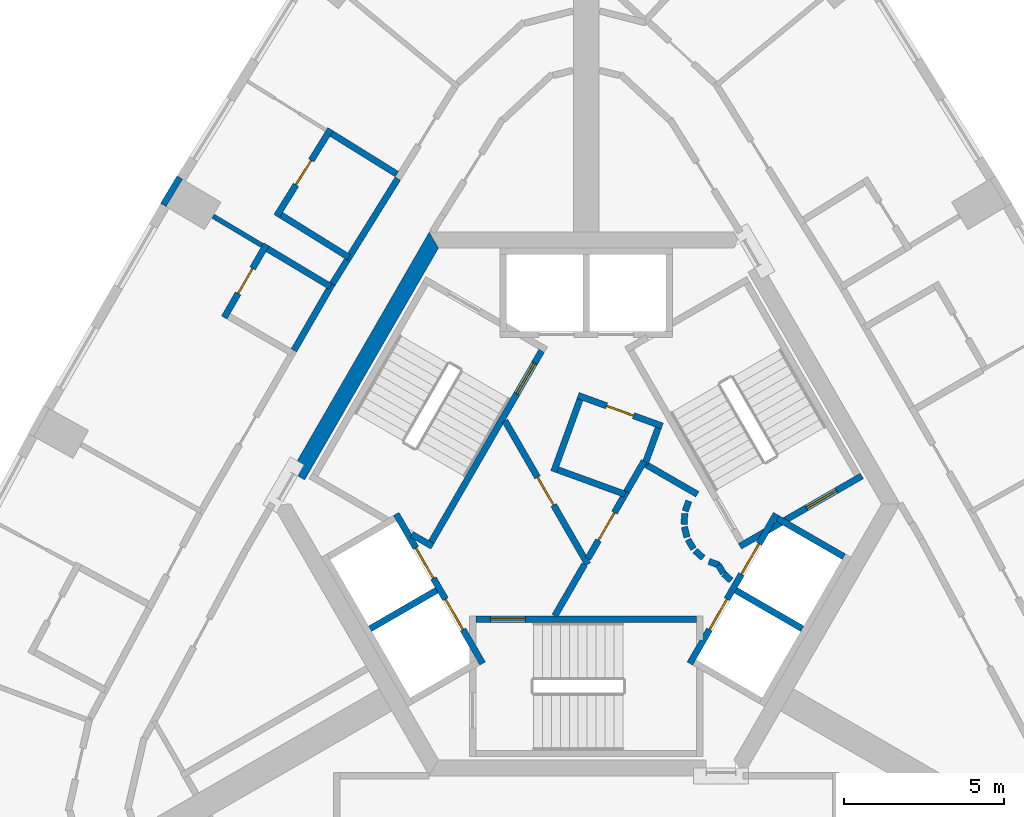
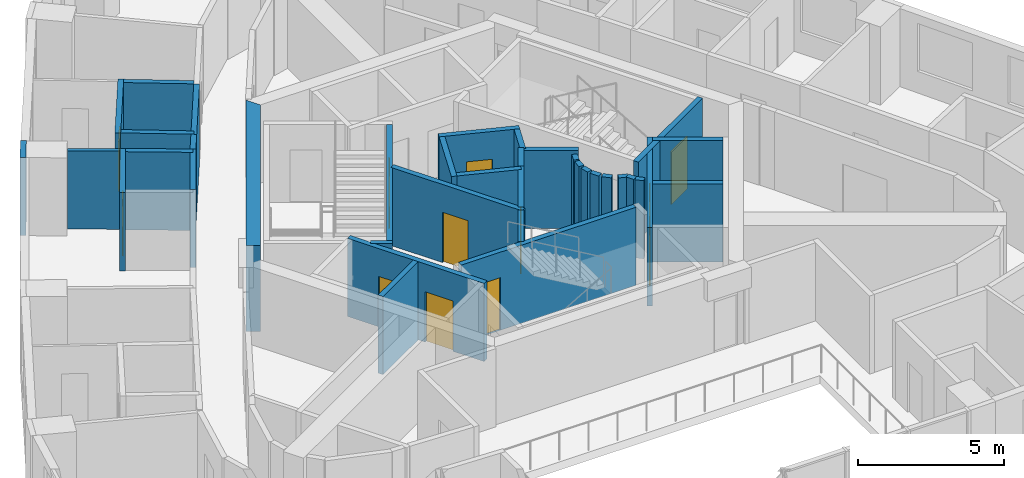
# One storey, part 4 of 9: 37 walls, 12 doors, 12 openings.
"""IFC4 building model written with IfcOpenShell, lengths in metres."""

from ifc_helpers import new_model, si_unit, direction, frame, frame_2d, origin, place, context, subcontext, project, spatial, polyline, rectangle, outline, extrude, material, layer, layer_set, type_object, element, fill, save


model = new_model("IFC4")

# Units and contexts
model_context = context("Model", 3, precision=1e-05, world=origin(), true_north=direction((0.0, 1.0)))
body_context = subcontext(model_context, "Body", "Model", "MODEL_VIEW")
ifc_project = project(units=[si_unit("LENGTHUNIT", "METRE"), si_unit("AREAUNIT", "SQUARE_METRE"), si_unit("VOLUMEUNIT", "CUBIC_METRE"), si_unit("PLANEANGLEUNIT", "RADIAN"), si_unit("MASSUNIT", "GRAM", prefix="KILO")], contexts=[model_context])

# Site, building, storey
site_placement = place(None, origin())
site = spatial("IfcSite", under=ifc_project, at=site_placement, CompositionType="ELEMENT")
building_placement = place(site_placement, origin())
building = spatial("IfcBuilding", under=site, at=building_placement, Name="Entoto Arch Interchange Tower", CompositionType="ELEMENT")
storey_placement = place(building_placement, frame((0.0, 0.0, 290.0)))
storey = spatial("IfcBuildingStorey", under=building, at=storey_placement, Name="L67", CompositionType="ELEMENT", Elevation=290.0)

# Wall
ifc_material_1 = material(Name="Concrete C40/50", Category="concrete")
ifc_layer_1 = layer(ifc_material_1, 0.5)
ifc_layer_set_1 = layer_set([ifc_layer_1], Name="Concrete C40/50")
wall_type_1 = type_object("IfcWallType", Name="Core wall 500 C40/50", PredefinedType="SHEAR", material=ifc_layer_set_1)
wall_1_placement = place(storey_placement, frame((0.0, 0.0, -0.340087890625)))
element("IfcWall", 1, at=wall_1_placement, inside=storey, type_object=wall_type_1, Name="Core wall NW L67", PredefinedType="SHEAR", context=body_context, shape_type="SweptSolid", body=[
    extrude(outline(polyline([(-9.236083984375, 3.501953125), (-8.802978515625, 3.2529296875), (-4.618896484375, 10.5), (-4.906982421875, 11.0), (-9.236083984375, 3.501953125)])), origin(), (0.0, 0.0, 1.0), 3.60009765625),
])

# Wall, openings, doors
ifc_layer_2 = layer(ifc_material_1, 0.199951171875)
ifc_layer_set_2 = layer_set([ifc_layer_2], Name="Concrete C40/50")
wall_type_2 = type_object("IfcWallType", Name="LIFT SHAFT WALL 200", PredefinedType="STANDARD", material=ifc_layer_set_2)
wall_2_placement = place(storey_placement, frame((-5.93994140625, 2.18798828125, 0.0), z_axis=(0.0, 0.0, 1.0), x_axis=(0.500034260056, -0.866005622828, 0.0)))
wall_2 = element("IfcWall", 2, at=wall_2_placement, inside=storey, type_object=wall_type_2, Name="Shaft wall SW1 front", PredefinedType="STANDARD", context=body_context, shape_type="SweptSolid", body=[
    extrude(rectangle(XDim=5.3994140625, YDim=0.199951171875, at=frame_2d((2.69970703125, 0.0))), origin(), (0.0, 0.0, 1.0), 3.260009765625),
])
opening_1_placement = place(wall_2_placement, frame((3.074951171875, 0.0, 0.0)))
opening_1 = element("IfcOpeningElement", 3, at=opening_1_placement, cuts=wall_2, Name="Opening LD-HR4-L67", PredefinedType="OPENING", context=body_context, shape_type="SweptSolid", body=[
    extrude(rectangle(XDim=1.10009765625, YDim=2.10009765625, at=frame_2d((0.550048828125, 1.050048828125))), frame((0.0, 0.10986328125, 0.0), z_axis=(0.0, -1.0, 0.0), x_axis=(1.0, 0.0, 0.0)), (0.0, 0.0, 1.0), 0.219970703125),
])
opening_2_placement = place(wall_2_placement, frame((1.22509765625, 0.0, 0.0)))
opening_2 = element("IfcOpeningElement", 4, at=opening_2_placement, cuts=wall_2, Name="Opening LD-FF2-L67", PredefinedType="OPENING", context=body_context, shape_type="SweptSolid", body=[
    extrude(rectangle(XDim=1.10009765625, YDim=2.10009765625, at=frame_2d((0.550048828125, 1.050048828125))), frame((0.0, 0.10986328125, 0.0), z_axis=(0.0, -1.0, 0.0), x_axis=(1.0, 0.0, 0.0)), (0.0, 0.0, 1.0), 0.219970703125),
])
ifc_material_2 = material(Name="Stainless steel 1.4301 panels", Category="steel")
door_type_1 = type_object("IfcDoorType", Name="LIFT LANDING DOOR LD1 1100x2100", OperationType="SLIDING_TO_LEFT", PredefinedType="DOOR", material=ifc_material_2)
door_1_placement = place(opening_1_placement, origin())
door_1 = element("IfcDoor", 5, at=door_1_placement, inside=storey, type_object=door_type_1, Name="Lift landing door HR4 L67", OperationType="SLIDING_TO_LEFT", OverallHeight=2.10009765625, OverallWidth=1.10009765625, PredefinedType="DOOR", context=body_context, shape_type="SweptSolid", body=[
    extrude(rectangle(XDim=1.10009765625, YDim=2.10009765625, at=frame_2d((0.550048828125, 1.050048828125))), frame((0.0, 0.02490234375, 0.0), z_axis=(0.0, -1.0, 0.0), x_axis=(1.0, 0.0, 0.0)), (0.0, 0.0, 1.0), 0.050048828125),
])
fill(opening_1, door_1)
door_2_placement = place(opening_2_placement, origin())
door_2 = element("IfcDoor", 6, at=door_2_placement, inside=storey, type_object=door_type_1, Name="Lift landing door FF2 L67", OperationType="SLIDING_TO_LEFT", OverallHeight=2.10009765625, OverallWidth=1.10009765625, PredefinedType="DOOR", context=body_context, shape_type="SweptSolid", body=[
    extrude(rectangle(XDim=1.10009765625, YDim=2.10009765625, at=frame_2d((0.550048828125, 1.050048828125))), frame((0.0, 0.02490234375, 0.0), z_axis=(0.0, -1.0, 0.0), x_axis=(1.0, 0.0, 0.0)), (0.0, 0.0, 1.0), 0.050048828125),
])
fill(opening_2, door_2)

# Wall
wall_3_placement = place(storey_placement, frame((-4.677001953125, -0.199951171875, 0.0), z_axis=(0.0, 0.0, 1.0), x_axis=(-0.865973769406, -0.500089422704, 0.0)))
element("IfcWall", 7, at=wall_3_placement, inside=storey, type_object=wall_type_2, Name="Shaft wall SW1 cross 2", PredefinedType="STANDARD", context=body_context, shape_type="SweptSolid", body=[
    extrude(rectangle(XDim=2.3994140625, YDim=0.199951171875, at=frame_2d((1.19970703125, 0.0))), origin(), (0.0, 0.0, 1.0), 3.260009765625),
])

# Wall, openings, doors
wall_4_placement = place(storey_placement, frame((3.239990234375, -2.488037109375, 0.0), z_axis=(0.0, 0.0, 1.0), x_axis=(0.500034260056, 0.866005622828, 0.0)))
wall_4 = element("IfcWall", 8, at=wall_4_placement, inside=storey, type_object=wall_type_2, Name="Shaft wall SE1 front", PredefinedType="STANDARD", context=body_context, shape_type="SweptSolid", body=[
    extrude(rectangle(XDim=5.3994140625, YDim=0.199951171875, at=frame_2d((2.69970703125, 0.0))), origin(), (0.0, 0.0, 1.0), 3.260009765625),
])
opening_3_placement = place(wall_4_placement, frame((3.22509765625, 0.0, 0.0)))
opening_3 = element("IfcOpeningElement", 9, at=opening_3_placement, cuts=wall_4, Name="Opening LD-HR3-L67", PredefinedType="OPENING", context=body_context, shape_type="SweptSolid", body=[
    extrude(rectangle(XDim=1.10009765625, YDim=2.10009765625, at=frame_2d((0.550048828125, 1.050048828125))), frame((0.0, 0.10986328125, 0.0), z_axis=(0.0, -1.0, 0.0), x_axis=(1.0, 0.0, 0.0)), (0.0, 0.0, 1.0), 0.219970703125),
])
opening_4_placement = place(wall_4_placement, frame((1.22509765625, 0.0, 0.0)))
opening_4 = element("IfcOpeningElement", 10, at=opening_4_placement, cuts=wall_4, Name="Opening LD-FF1-L67", PredefinedType="OPENING", context=body_context, shape_type="SweptSolid", body=[
    extrude(rectangle(XDim=1.10009765625, YDim=2.10009765625, at=frame_2d((0.550048828125, 1.050048828125))), frame((0.0, 0.10986328125, 0.0), z_axis=(0.0, -1.0, 0.0), x_axis=(1.0, 0.0, 0.0)), (0.0, 0.0, 1.0), 0.219970703125),
])
door_3_placement = place(opening_3_placement, origin())
door_3 = element("IfcDoor", 11, at=door_3_placement, inside=storey, type_object=door_type_1, Name="Lift landing door HR3 L67", OperationType="SLIDING_TO_LEFT", OverallHeight=2.10009765625, OverallWidth=1.10009765625, PredefinedType="DOOR", context=body_context, shape_type="SweptSolid", body=[
    extrude(rectangle(XDim=1.10009765625, YDim=2.10009765625, at=frame_2d((0.550048828125, 1.050048828125))), frame((0.0, 0.02490234375, 0.0), z_axis=(0.0, -1.0, 0.0), x_axis=(1.0, 0.0, 0.0)), (0.0, 0.0, 1.0), 0.050048828125),
])
fill(opening_3, door_3)
door_4_placement = place(opening_4_placement, origin())
door_4 = element("IfcDoor", 12, at=door_4_placement, inside=storey, type_object=door_type_1, Name="Lift landing door FF1 L67", OperationType="SLIDING_TO_LEFT", OverallHeight=2.10009765625, OverallWidth=1.10009765625, PredefinedType="DOOR", context=body_context, shape_type="SweptSolid", body=[
    extrude(rectangle(XDim=1.10009765625, YDim=2.10009765625, at=frame_2d((0.550048828125, 1.050048828125))), frame((0.0, 0.02490234375, 0.0), z_axis=(0.0, -1.0, 0.0), x_axis=(1.0, 0.0, 0.0)), (0.0, 0.0, 1.0), 0.050048828125),
])
fill(opening_4, door_4)

# Walls
for number, where, z_axis, x_axis, name in (
    (13, (4.677001953125, -0.199951171875, 0.0), (0.0, 0.0, 1.0), (0.865973769406, -0.500089422704, 0.0), "Shaft wall SE1 cross 2"),
    (14, (5.97705078125, 2.052001953125, 0.0), (0.0, 0.0, 1.0), (0.865973769406, -0.500089422704, 0.0), "Shaft wall SE1 cross 3"),
):
    element("IfcWall", number, at=place(storey_placement, frame(where, z_axis=z_axis, x_axis=x_axis)), inside=storey, type_object=wall_type_2, Name=name, PredefinedType="STANDARD", context=body_context, shape_type="SweptSolid", body=[
        extrude(rectangle(XDim=2.3994140625, YDim=0.199951171875, at=frame_2d((1.19970703125, 0.0))), origin(), (0.0, 0.0, 1.0), 3.260009765625),
    ])
ifc_material_3 = material(Name="Gypsum board partition on steel studs", Category="steel")
ifc_layer_3 = layer(ifc_material_3, 0.14990234375)
ifc_layer_set_3 = layer_set([ifc_layer_3], Name="Gypsum board partition on steel studs")
wall_type_3 = type_object("IfcWallType", Name="PARTITION 150", PredefinedType="PARTITIONING", material=ifc_layer_set_3)
wall_5_placement = place(storey_placement, frame((-10.133056640625, 10.580078125, 0.0), z_axis=(0.0, 0.0, 1.0), x_axis=(-0.857903919212, 0.513810145287, 0.0)))
element("IfcWall", 15, at=wall_5_placement, inside=storey, type_object=wall_type_3, Name="wall:L67:p117", PredefinedType="PARTITIONING", context=body_context, shape_type="SweptSolid", body=[
    extrude(rectangle(XDim=1.781005859375, YDim=0.14990234375, at=frame_2d((0.890625, 0.0))), origin(), (0.0, 0.0, 1.0), 3.260009765625),
])
ifc_layer_4 = layer(ifc_material_3, 0.199951171875)
ifc_layer_set_4 = layer_set([ifc_layer_4], Name="Gypsum board partition on steel studs")
wall_type_4 = type_object("IfcWallType", Name="PARTITION 200", PredefinedType="PARTITIONING", material=ifc_layer_set_4)
wall_6_placement = place(storey_placement, frame((1.263916015625, 2.889892578125, 0.0), z_axis=(0.0, 0.0, 1.0), x_axis=(0.500043792738, 0.866000118559, 0.0)))
element("IfcWall", 16, at=wall_6_placement, inside=storey, type_object=wall_type_4, Name="wall:L67:p001", PredefinedType="PARTITIONING", context=body_context, shape_type="SweptSolid", body=[
    extrude(rectangle(XDim=1.09619140625, YDim=0.199951171875, at=frame_2d((0.548095703125, 0.0))), origin(), (0.0, 0.0, 1.0), 3.260009765625),
])
wall_7_placement = place(storey_placement, frame((1.837890625, 3.748046875, 0.0), z_axis=(0.0, 0.0, 1.0), x_axis=(0.342266462435, 0.939602931398, 0.0)))
element("IfcWall", 17, at=wall_7_placement, inside=storey, type_object=wall_type_4, Name="wall:L67:p002", PredefinedType="PARTITIONING", context=body_context, shape_type="SweptSolid", body=[
    extrude(rectangle(XDim=1.1982421875, YDim=0.199951171875, at=frame_2d((0.59912109375, 0.0))), origin(), (0.0, 0.0, 1.0), 3.260009765625),
])

# Wall, opening, door
wall_8_placement = place(storey_placement, frame((2.3759765625, 4.93408203125, 0.0), z_axis=(0.0, 0.0, 1.0), x_axis=(-0.939640574808, 0.342163104635, 0.0)))
wall_8 = element("IfcWall", 18, at=wall_8_placement, inside=storey, type_object=wall_type_4, Name="wall:L67:p003", PredefinedType="PARTITIONING", context=body_context, shape_type="SweptSolid", body=[
    extrude(rectangle(XDim=2.7998046875, YDim=0.199951171875, at=frame_2d((1.39990234375, 0.0))), origin(), (0.0, 0.0, 1.0), 3.260009765625),
])
opening_5_placement = place(wall_8_placement, frame((0.949951171875, 0.0, 0.0)))
opening_5 = element("IfcOpeningElement", 19, at=opening_5_placement, cuts=wall_8, Name="Opening L67-D36", PredefinedType="OPENING", context=body_context, shape_type="SweptSolid", body=[
    extrude(rectangle(XDim=0.89990234375, YDim=2.10009765625, at=frame_2d((0.449951171875, 1.050048828125))), frame((0.0, 0.10986328125, 0.0), z_axis=(0.0, -1.0, 0.0), x_axis=(1.0, 0.0, 0.0)), (0.0, 0.0, 1.0), 0.219970703125),
])
ifc_material_4 = material(Name="Timber door leaf in Steel S235 frame", Category="steel")
door_type_2 = type_object("IfcDoorType", Name="DOOR DS-09 900x2100", OperationType="SINGLE_SWING_LEFT", PredefinedType="DOOR", material=ifc_material_4)
door_5_placement = place(opening_5_placement, origin())
door_5 = element("IfcDoor", 20, at=door_5_placement, inside=storey, type_object=door_type_2, Name="door:L67:36", OperationType="SINGLE_SWING_LEFT", OverallHeight=2.10009765625, OverallWidth=0.89990234375, PredefinedType="DOOR", context=body_context, shape_type="SweptSolid", body=[
    extrude(rectangle(XDim=0.89990234375, YDim=2.10009765625, at=frame_2d((0.449951171875, 1.050048828125))), frame((0.0, 0.02490234375, 0.0), z_axis=(0.0, -1.0, 0.0), x_axis=(1.0, 0.0, 0.0)), (0.0, 0.0, 1.0), 0.050048828125),
])
fill(opening_5, door_5)

# Walls
wall_9_placement = place(storey_placement, frame((-0.196044921875, 5.763916015625, 0.0), z_axis=(0.0, 0.0, 1.0), x_axis=(-0.34165322761, -0.939826086073, 0.0)))
element("IfcWall", 21, at=wall_9_placement, inside=storey, type_object=wall_type_4, Name="wall:L67:p004", PredefinedType="PARTITIONING", context=body_context, shape_type="SweptSolid", body=[
    extrude(rectangle(XDim=2.400390625, YDim=0.199951171875, at=frame_2d((1.2001953125, 0.0))), origin(), (0.0, 0.0, 1.0), 3.260009765625),
])
wall_10_placement = place(storey_placement, frame((-0.887939453125, 3.568115234375, 0.0), z_axis=(0.0, 0.0, 1.0), x_axis=(0.939685034098, -0.34204098686, 0.0)))
element("IfcWall", 22, at=wall_10_placement, inside=storey, type_object=wall_type_4, Name="wall:L67:p005", PredefinedType="PARTITIONING", context=body_context, shape_type="SweptSolid", body=[
    extrude(rectangle(XDim=2.237060546875, YDim=0.199951171875, at=frame_2d((1.11865234375, 0.0))), origin(), (0.0, 0.0, 1.0), 3.260009765625),
])
wall_11_placement = place(storey_placement, frame((-7.93701171875, 9.3798828125, 0.0), z_axis=(0.0, 0.0, 1.0), x_axis=(0.52850186976, 0.848932137252, 0.0)))
element("IfcWall", 23, at=wall_11_placement, inside=storey, type_object=wall_type_4, Name="wall:L67:p047", PredefinedType="PARTITIONING", context=body_context, shape_type="SweptSolid", body=[
    extrude(rectangle(XDim=0.880126953125, YDim=0.199951171875, at=frame_2d((0.43994140625, 0.0))), origin(), (0.0, 0.0, 1.0), 3.260009765625),
])
wall_12_placement = place(storey_placement, frame((-7.471923828125, 10.126953125, 0.0), z_axis=(0.0, 0.0, 1.0), x_axis=(0.527707224705, 0.849426326996, 0.0)))
element("IfcWall", 24, at=wall_12_placement, inside=storey, type_object=wall_type_4, Name="wall:L67:p048", PredefinedType="PARTITIONING", context=body_context, shape_type="SweptSolid", body=[
    extrude(rectangle(XDim=2.999755859375, YDim=0.199951171875, at=frame_2d((1.5, 0.0))), origin(), (0.0, 0.0, 1.0), 3.260009765625),
])
wall_13_placement = place(storey_placement, frame((-9.138916015625, 7.302978515625, 0.0), z_axis=(0.0, 0.0, 1.0), x_axis=(0.499869187296, 0.866100915363, 0.0)))
element("IfcWall", 25, at=wall_13_placement, inside=storey, type_object=wall_type_4, Name="wall:L67:p050", PredefinedType="PARTITIONING", context=body_context, shape_type="SweptSolid", body=[
    extrude(rectangle(XDim=2.400634765625, YDim=0.199951171875, at=frame_2d((1.2001953125, 0.0))), origin(), (0.0, 0.0, 1.0), 3.260009765625),
])
wall_14_placement = place(storey_placement, frame((-0.98193359375, -1.0, 0.0), z_axis=(0.0, 0.0, 1.0), x_axis=(0.50024047865, 0.865886518847, 0.0)))
element("IfcWall", 26, at=wall_14_placement, inside=storey, type_object=wall_type_4, Name="wall:L67:p061", PredefinedType="PARTITIONING", context=body_context, shape_type="SweptSolid", body=[
    extrude(rectangle(XDim=1.86279296875, YDim=0.199951171875, at=frame_2d((0.931396484375, 0.0))), origin(), (0.0, 0.0, 1.0), 3.260009765625),
])

# Wall, opening, door
wall_15_placement = place(storey_placement, frame((0.050048828125, 0.787109375, 0.0), z_axis=(0.0, 0.0, 1.0), x_axis=(0.499945861543, 0.866056658381, 0.0)))
wall_15 = element("IfcWall", 27, at=wall_15_placement, inside=storey, type_object=wall_type_4, Name="wall:L67:p062", PredefinedType="PARTITIONING", context=body_context, shape_type="SweptSolid", body=[
    extrude(rectangle(XDim=2.427978515625, YDim=0.199951171875, at=frame_2d((1.2138671875, 0.0))), origin(), (0.0, 0.0, 1.0), 3.260009765625),
])
opening_6_placement = place(wall_15_placement, frame((0.6640625, 0.0, 0.0)))
opening_6 = element("IfcOpeningElement", 28, at=opening_6_placement, cuts=wall_15, Name="Opening L67-D34", PredefinedType="OPENING", context=body_context, shape_type="SweptSolid", body=[
    extrude(rectangle(XDim=1.0, YDim=2.10009765625, at=frame_2d((0.5, 1.050048828125))), frame((0.0, 0.10986328125, 0.0), z_axis=(0.0, -1.0, 0.0), x_axis=(1.0, 0.0, 0.0)), (0.0, 0.0, 1.0), 0.219970703125),
])
ifc_material_5 = material(Name="Fire-rated Steel S235 door and frame", Category="steel")
door_type_3 = type_object("IfcDoorType", Name="DOOR FD-10 1000x2100", OperationType="SINGLE_SWING_LEFT", PredefinedType="DOOR", material=ifc_material_5)
door_6_placement = place(opening_6_placement, origin())
door_6 = element("IfcDoor", 29, at=door_6_placement, inside=storey, type_object=door_type_3, Name="door:L67:34", OperationType="SINGLE_SWING_RIGHT", OverallHeight=2.10009765625, OverallWidth=1.0, PredefinedType="DOOR", context=body_context, shape_type="SweptSolid", body=[
    extrude(rectangle(XDim=1.0, YDim=2.10009765625, at=frame_2d((0.5, 1.050048828125))), frame((0.0, 0.02490234375, 0.0), z_axis=(0.0, -1.0, 0.0), x_axis=(1.0, 0.0, 0.0)), (0.0, 0.0, 1.0), 0.050048828125),
])
fill(opening_6, door_6)

# Walls
wall_16_placement = place(storey_placement, frame((1.7509765625, 3.798095703125, 0.0), z_axis=(0.0, 0.0, 1.0), x_axis=(0.866091650241, -0.499885240213, 0.0)))
element("IfcWall", 30, at=wall_16_placement, inside=storey, type_object=wall_type_4, Name="wall:L67:p063", PredefinedType="PARTITIONING", context=body_context, shape_type="SweptSolid", body=[
    extrude(rectangle(XDim=1.99072265625, YDim=0.199951171875, at=frame_2d((0.995361328125, 0.0))), origin(), (0.0, 0.0, 1.0), 3.260009765625),
])
wall_17_placement = place(storey_placement, frame((3.2080078125, 2.592041015625, 0.0), z_axis=(0.0, 0.0, 1.0), x_axis=(-0.337388820924, -0.941365382578, 0.0)))
element("IfcWall", 31, at=wall_17_placement, inside=storey, type_object=wall_type_4, Name="wall:L67:p064", PredefinedType="PARTITIONING", context=body_context, shape_type="SweptSolid", body=[
    extrude(rectangle(XDim=0.337890625, YDim=0.199951171875, at=frame_2d((0.1689453125, 0.0))), origin(), (0.0, 0.0, 1.0), 3.260009765625),
])
wall_18_placement = place(storey_placement, frame((3.0791015625, 2.198974609375, 0.0), z_axis=(0.0, 0.0, 1.0), x_axis=(-0.047771483479, -0.998858290933, 0.0)))
element("IfcWall", 32, at=wall_18_placement, inside=storey, type_object=wall_type_4, Name="wall:L67:p065", PredefinedType="PARTITIONING", context=body_context, shape_type="SweptSolid", body=[
    extrude(rectangle(XDim=0.33740234375, YDim=0.199951171875, at=frame_2d((0.168701171875, 0.0))), origin(), (0.0, 0.0, 1.0), 3.260009765625),
])
wall_19_placement = place(storey_placement, frame((3.070068359375, 1.785888671875, 0.0), z_axis=(0.0, 0.0, 1.0), x_axis=(0.242705583207, -0.970099994784, 0.0)))
element("IfcWall", 33, at=wall_19_placement, inside=storey, type_object=wall_type_4, Name="wall:L67:p066", PredefinedType="PARTITIONING", context=body_context, shape_type="SweptSolid", body=[
    extrude(rectangle(XDim=0.337890625, YDim=0.199951171875, at=frame_2d((0.1689453125, 0.0))), origin(), (0.0, 0.0, 1.0), 3.260009765625),
])
for number, where, z_axis, x_axis, name in (
    (34, (3.181884765625, 1.387939453125, 0.0), (0.0, 0.0, 1.0), (0.512474702713, -0.85870232274, 0.0), "wall:L67:p067"),
    (35, (3.404052734375, 1.0390625, 0.0), (0.0, 0.0, 1.0), (0.740267097712, -0.672312891476, 0.0), "wall:L67:p068"),
):
    element("IfcWall", number, at=place(storey_placement, frame(where, z_axis=z_axis, x_axis=x_axis)), inside=storey, type_object=wall_type_4, Name=name, PredefinedType="PARTITIONING", context=body_context, shape_type="SweptSolid", body=[
        extrude(rectangle(XDim=0.337646484375, YDim=0.199951171875, at=frame_2d((0.1689453125, 0.0))), origin(), (0.0, 0.0, 1.0), 3.260009765625),
    ])
wall_20_placement = place(storey_placement, frame((3.837890625, 0.701904296875, 0.0), z_axis=(0.0, 0.0, 1.0), x_axis=(0.941035081519, -0.338308993895, 0.0)))
element("IfcWall", 36, at=wall_20_placement, inside=storey, type_object=wall_type_4, Name="wall:L67:p069", PredefinedType="PARTITIONING", context=body_context, shape_type="SweptSolid", body=[
    extrude(rectangle(XDim=0.3369140625, YDim=0.199951171875, at=frame_2d((0.16845703125, 0.0))), origin(), (0.0, 0.0, 1.0), 3.260009765625),
])
wall_21_placement = place(storey_placement, frame((4.132080078125, 0.593017578125, 0.0), z_axis=(0.0, 0.0, 1.0), x_axis=(0.513561617048, -0.858052717201, 0.0)))
element("IfcWall", 37, at=wall_21_placement, inside=storey, type_object=wall_type_4, Name="wall:L67:p070", PredefinedType="PARTITIONING", context=body_context, shape_type="SweptSolid", body=[
    extrude(rectangle(XDim=0.3076171875, YDim=0.199951171875, at=frame_2d((0.15380859375, 0.0))), origin(), (0.0, 0.0, 1.0), 3.260009765625),
])
wall_22_placement = place(storey_placement, frame((4.301025390625, 0.31494140625, 0.0), z_axis=(0.0, 0.0, 1.0), x_axis=(0.741798017506, -0.670623367639, 0.0)))
element("IfcWall", 38, at=wall_22_placement, inside=storey, type_object=wall_type_4, Name="wall:L67:p071", PredefinedType="PARTITIONING", context=body_context, shape_type="SweptSolid", body=[
    extrude(rectangle(XDim=0.30859375, YDim=0.199951171875, at=frame_2d((0.154296875, 0.0))), origin(), (0.0, 0.0, 1.0), 3.260009765625),
])

# Wall, opening, door
wall_23_placement = place(storey_placement, frame((-2.5400390625, 5.10009765625, 0.0), z_axis=(0.0, 0.0, 1.0), x_axis=(0.499925051871, -0.866068670783, 0.0)))
wall_23 = element("IfcWall", 39, at=wall_23_placement, inside=storey, type_object=wall_type_4, Name="wall:L67:p072", PredefinedType="PARTITIONING", context=body_context, shape_type="SweptSolid", body=[
    extrude(rectangle(XDim=5.180908203125, YDim=0.199951171875, at=frame_2d((2.59033203125, 0.0))), origin(), (0.0, 0.0, 1.0), 3.260009765625),
])
opening_7_placement = place(wall_23_placement, frame((2.0400390625, 0.0, 0.0)))
opening_7 = element("IfcOpeningElement", 40, at=opening_7_placement, cuts=wall_23, Name="Opening L67-D35", PredefinedType="OPENING", context=body_context, shape_type="SweptSolid", body=[
    extrude(rectangle(XDim=1.0, YDim=2.10009765625, at=frame_2d((0.5, 1.050048828125))), frame((0.0, 0.10986328125, 0.0), z_axis=(0.0, -1.0, 0.0), x_axis=(1.0, 0.0, 0.0)), (0.0, 0.0, 1.0), 0.219970703125),
])
door_7_placement = place(opening_7_placement, origin())
door_7 = element("IfcDoor", 41, at=door_7_placement, inside=storey, type_object=door_type_3, Name="door:L67:35", OperationType="SINGLE_SWING_RIGHT", OverallHeight=2.10009765625, OverallWidth=1.0, PredefinedType="DOOR", context=body_context, shape_type="SweptSolid", body=[
    extrude(rectangle(XDim=1.0, YDim=2.10009765625, at=frame_2d((0.5, 1.050048828125))), frame((0.0, 0.02490234375, 0.0), z_axis=(0.0, -1.0, 0.0), x_axis=(1.0, 0.0, 0.0)), (0.0, 0.0, 1.0), 0.050048828125),
])
fill(opening_7, door_7)

# Wall
wall_24_placement = place(storey_placement, frame((-5.9208984375, 12.81298828125, 0.0), z_axis=(0.0, 0.0, 1.0), x_axis=(-0.849366650736, 0.527803270752, 0.0)))
element("IfcWall", 42, at=wall_24_placement, inside=storey, type_object=wall_type_4, Name="wall:L67:p114", PredefinedType="PARTITIONING", context=body_context, shape_type="SweptSolid", body=[
    extrude(rectangle(XDim=2.400634765625, YDim=0.199951171875, at=frame_2d((1.2001953125, 0.0))), origin(), (0.0, 0.0, 1.0), 3.260009765625),
])

# Wall, opening, door
wall_25_placement = place(storey_placement, frame((-7.991943359375, 14.217041015625, 0.0), z_axis=(0.0, 0.0, 1.0), x_axis=(-0.527795797674, -0.849371294522, 0.0)))
wall_25 = element("IfcWall", 43, at=wall_25_placement, inside=storey, type_object=wall_type_4, Name="wall:L67:p115", PredefinedType="PARTITIONING", context=body_context, shape_type="SweptSolid", body=[
    extrude(rectangle(XDim=3.199951171875, YDim=0.199951171875, at=frame_2d((1.60009765625, 0.0))), origin(), (0.0, 0.0, 1.0), 3.260009765625),
])
opening_8_placement = place(wall_25_placement, frame((1.14990234375, 0.0, 0.0)))
opening_8 = element("IfcOpeningElement", 44, at=opening_8_placement, cuts=wall_25, Name="Opening L67-D18", PredefinedType="OPENING", context=body_context, shape_type="SweptSolid", body=[
    extrude(rectangle(XDim=0.89990234375, YDim=2.10009765625, at=frame_2d((0.449951171875, 1.050048828125))), frame((0.0, 0.10986328125, 0.0), z_axis=(0.0, -1.0, 0.0), x_axis=(1.0, 0.0, 0.0)), (0.0, 0.0, 1.0), 0.219970703125),
])
door_8_placement = place(opening_8_placement, origin())
door_8 = element("IfcDoor", 45, at=door_8_placement, inside=storey, type_object=door_type_2, Name="door:L67:18", OperationType="SINGLE_SWING_LEFT", OverallHeight=2.10009765625, OverallWidth=0.89990234375, PredefinedType="DOOR", context=body_context, shape_type="SweptSolid", body=[
    extrude(rectangle(XDim=0.89990234375, YDim=2.10009765625, at=frame_2d((0.449951171875, 1.050048828125))), frame((0.0, 0.02490234375, 0.0), z_axis=(0.0, -1.0, 0.0), x_axis=(1.0, 0.0, 0.0)), (0.0, 0.0, 1.0), 0.050048828125),
])
fill(opening_8, door_8)

# Walls
wall_26_placement = place(storey_placement, frame((-9.54296875, 11.531005859375, 0.0), z_axis=(0.0, 0.0, 1.0), x_axis=(0.849400119549, -0.527749407305, 0.0)))
element("IfcWall", 46, at=wall_26_placement, inside=storey, type_object=wall_type_4, Name="wall:L67:p116", PredefinedType="PARTITIONING", context=body_context, shape_type="SweptSolid", body=[
    extrude(rectangle(XDim=2.49951171875, YDim=0.199951171875, at=frame_2d((1.249755859375, 0.0))), origin(), (0.0, 0.0, 1.0), 3.260009765625),
])
wall_27_placement = place(storey_placement, frame((-7.989013671875, 9.294921875, 0.0), z_axis=(0.0, 0.0, 1.0), x_axis=(-0.857801856135, 0.513980520654, 0.0)))
element("IfcWall", 47, at=wall_27_placement, inside=storey, type_object=wall_type_4, Name="wall:L67:p118", PredefinedType="PARTITIONING", context=body_context, shape_type="SweptSolid", body=[
    extrude(rectangle(XDim=2.300048828125, YDim=0.199951171875, at=frame_2d((1.14990234375, 0.0))), origin(), (0.0, 0.0, 1.0), 3.260009765625),
])

# Wall, opening, door
wall_28_placement = place(storey_placement, frame((-9.9970703125, 10.614990234375, 0.0), z_axis=(0.0, 0.0, 1.0), x_axis=(-0.500525697837, -0.865721679182, 0.0)))
wall_28 = element("IfcWall", 48, at=wall_28_placement, inside=storey, type_object=wall_type_4, Name="wall:L67:p119", PredefinedType="PARTITIONING", context=body_context, shape_type="SweptSolid", body=[
    extrude(rectangle(XDim=2.639404296875, YDim=0.199951171875, at=frame_2d((1.31982421875, 0.0))), origin(), (0.0, 0.0, 1.0), 3.260009765625),
])
opening_9_placement = place(wall_28_placement, frame((0.868896484375, 0.0, 0.0)))
opening_9 = element("IfcOpeningElement", 49, at=opening_9_placement, cuts=wall_28, Name="Opening L67-D20", PredefinedType="OPENING", context=body_context, shape_type="SweptSolid", body=[
    extrude(rectangle(XDim=0.89990234375, YDim=2.10009765625, at=frame_2d((0.449951171875, 1.050048828125))), frame((0.0, 0.10986328125, 0.0), z_axis=(0.0, -1.0, 0.0), x_axis=(1.0, 0.0, 0.0)), (0.0, 0.0, 1.0), 0.219970703125),
])
door_9_placement = place(opening_9_placement, origin())
door_9 = element("IfcDoor", 50, at=door_9_placement, inside=storey, type_object=door_type_2, Name="door:L67:20", OperationType="SINGLE_SWING_LEFT", OverallHeight=2.10009765625, OverallWidth=0.89990234375, PredefinedType="DOOR", context=body_context, shape_type="SweptSolid", body=[
    extrude(rectangle(XDim=0.89990234375, YDim=2.10009765625, at=frame_2d((0.449951171875, 1.050048828125))), frame((0.0, 0.02490234375, 0.0), z_axis=(0.0, -1.0, 0.0), x_axis=(1.0, 0.0, 0.0)), (0.0, 0.0, 1.0), 0.050048828125),
])
fill(opening_9, door_9)

ifc_layer_5 = layer(ifc_material_1, 0.199951171875)
ifc_layer_set_5 = layer_set([ifc_layer_5], Name="Concrete C40/50")
wall_type_5 = type_object("IfcWallType", Name="STAIR ENCLOSURE WALL 200", PredefinedType="STANDARD", material=ifc_layer_set_5)
wall_29_placement = place(storey_placement, frame((-3.449951171875, -1.10009765625, 0.0), z_axis=(0.0, 0.0, 1.0), x_axis=(1.0, 0.0, 0.0)))
wall_29 = element("IfcWall", 51, at=wall_29_placement, inside=storey, type_object=wall_type_5, Name="Stair wall ST-S hall", PredefinedType="STANDARD", context=body_context, shape_type="SweptSolid", body=[
    extrude(rectangle(XDim=6.89990234375, YDim=0.199951171875, at=frame_2d((3.449951171875, 0.0))), origin(), (0.0, 0.0, 1.0), 3.260009765625),
])
opening_10_placement = place(wall_29_placement, frame((0.449951171875, 0.0, 0.0)))
opening_10 = element("IfcOpeningElement", 52, at=opening_10_placement, cuts=wall_29, Name="Opening SD-ST-S-L67", PredefinedType="OPENING", context=body_context, shape_type="SweptSolid", body=[
    extrude(rectangle(XDim=1.10009765625, YDim=2.199951171875, at=frame_2d((0.550048828125, 1.10009765625))), frame((0.0, 0.10986328125, 0.0), z_axis=(0.0, -1.0, 0.0), x_axis=(1.0, 0.0, 0.0)), (0.0, 0.0, 1.0), 0.219970703125),
])
ifc_material_6 = material(Name="Steel S235", Category="steel")
door_type_4 = type_object("IfcDoorType", Name="STAIR DOOR SD1 1100x2200", OperationType="SINGLE_SWING_LEFT", PredefinedType="DOOR", material=ifc_material_6)
door_10_placement = place(opening_10_placement, origin())
door_10 = element("IfcDoor", 53, at=door_10_placement, inside=storey, type_object=door_type_4, Name="Stair door ST-S L67", OperationType="SINGLE_SWING_LEFT", OverallHeight=2.199951171875, OverallWidth=1.10009765625, PredefinedType="DOOR", context=body_context, shape_type="SweptSolid", body=[
    extrude(rectangle(XDim=1.10009765625, YDim=2.199951171875, at=frame_2d((0.550048828125, 1.10009765625))), frame((0.0, 0.02490234375, 0.0), z_axis=(0.0, -1.0, 0.0), x_axis=(1.0, 0.0, 0.0)), (0.0, 0.0, 1.0), 0.050048828125),
])
fill(opening_10, door_10)

wall_30_placement = place(storey_placement, frame((4.805908203125, 1.176025390625, 0.0), z_axis=(0.0, 0.0, 1.0), x_axis=(0.866059941101, 0.499940174841, 0.0)))
wall_30 = element("IfcWall", 54, at=wall_30_placement, inside=storey, type_object=wall_type_5, Name="Stair wall ST-NE near", PredefinedType="STANDARD", context=body_context, shape_type="SweptSolid", body=[
    extrude(rectangle(XDim=4.400390625, YDim=0.199951171875, at=frame_2d((2.2001953125, 0.0))), origin(), (0.0, 0.0, 1.0), 3.260009765625),
])
opening_11_placement = place(wall_30_placement, frame((2.39990234375, 0.0, 0.0)))
opening_11 = element("IfcOpeningElement", 55, at=opening_11_placement, cuts=wall_30, Name="Opening SD-ST-NE-L67-E", PredefinedType="OPENING", context=body_context, shape_type="SweptSolid", body=[
    extrude(rectangle(XDim=1.10009765625, YDim=2.199951171875, at=frame_2d((0.550048828125, 1.10009765625))), frame((0.0, 0.10986328125, 0.0), z_axis=(0.0, -1.0, 0.0), x_axis=(1.0, 0.0, 0.0)), (0.0, 0.0, 1.0), 0.219970703125),
])
door_11_placement = place(opening_11_placement, origin())
door_11 = element("IfcDoor", 56, at=door_11_placement, inside=storey, type_object=door_type_4, Name="Stair door ST-NE L67 end", OperationType="SINGLE_SWING_LEFT", OverallHeight=2.199951171875, OverallWidth=1.10009765625, PredefinedType="DOOR", context=body_context, shape_type="SweptSolid", body=[
    extrude(rectangle(XDim=1.10009765625, YDim=2.199951171875, at=frame_2d((0.550048828125, 1.10009765625))), frame((0.0, 0.02490234375, 0.0), z_axis=(0.0, -1.0, 0.0), x_axis=(1.0, 0.0, 0.0)), (0.0, 0.0, 1.0), 0.050048828125),
])
fill(opening_11, door_11)

# Wall
wall_31_placement = place(storey_placement, frame((-4.805908203125, 1.176025390625, 0.0), z_axis=(0.0, 0.0, 1.0), x_axis=(-0.866558586415, 0.499075361355, 0.0)))
element("IfcWall", 57, at=wall_31_placement, inside=storey, type_object=wall_type_5, Name="Stair wall ST-NW far return", PredefinedType="STANDARD", context=body_context, shape_type="SweptSolid", body=[
    extrude(rectangle(XDim=0.75146484375, YDim=0.199951171875, at=frame_2d((0.375732421875, 0.0))), origin(), (0.0, 0.0, 1.0), 3.260009765625),
])

# Wall, opening, door
wall_32_placement = place(storey_placement, frame((-1.39306640625, 7.2880859375, 0.0), z_axis=(0.0, 0.0, 1.0), x_axis=(-0.499963383562, -0.866046543262, 0.0)))
wall_32 = element("IfcWall", 58, at=wall_32_placement, inside=storey, type_object=wall_type_5, Name="Stair wall ST-NW hall", PredefinedType="STANDARD", context=body_context, shape_type="SweptSolid", body=[
    extrude(rectangle(XDim=6.900390625, YDim=0.199951171875, at=frame_2d((3.4501953125, 0.0))), origin(), (0.0, 0.0, 1.0), 3.260009765625),
])
opening_12_placement = place(wall_32_placement, frame((0.449951171875, 0.0, 0.0)))
opening_12 = element("IfcOpeningElement", 59, at=opening_12_placement, cuts=wall_32, Name="Opening SD-ST-NW-L67", PredefinedType="OPENING", context=body_context, shape_type="SweptSolid", body=[
    extrude(rectangle(XDim=1.10009765625, YDim=2.199951171875, at=frame_2d((0.550048828125, 1.10009765625))), frame((0.0, 0.10986328125, 0.0), z_axis=(0.0, -1.0, 0.0), x_axis=(1.0, 0.0, 0.0)), (0.0, 0.0, 1.0), 0.219970703125),
])
door_12_placement = place(opening_12_placement, origin())
door_12 = element("IfcDoor", 60, at=door_12_placement, inside=storey, type_object=door_type_4, Name="Stair door ST-NW L67", OperationType="SINGLE_SWING_LEFT", OverallHeight=2.199951171875, OverallWidth=1.10009765625, PredefinedType="DOOR", context=body_context, shape_type="SweptSolid", body=[
    extrude(rectangle(XDim=1.10009765625, YDim=2.199951171875, at=frame_2d((0.550048828125, 1.10009765625))), frame((0.0, 0.02490234375, 0.0), z_axis=(0.0, -1.0, 0.0), x_axis=(1.0, 0.0, 0.0)), (0.0, 0.0, 1.0), 0.050048828125),
])
fill(opening_12, door_12)

# Wall
ifc_material_7 = material(Name="Welded tuff (ignimbrite) cladding, warm buff", Category="masonry")
ifc_layer_6 = layer(ifc_material_7, 0.199951171875)
ifc_layer_set_6 = layer_set([ifc_layer_6], Name="Welded tuff (ignimbrite) cladding, warm buff")
wall_type_6 = type_object("IfcWallType", Name="STONE PIER CLADDING 200", PredefinedType="STANDARD", material=ifc_layer_set_6)
wall_33_placement = place(storey_placement, frame((-12.7080078125, 12.7060546875, 0.0), z_axis=(0.0, 0.0, 1.0), x_axis=(-0.513777707721, -0.857923345672, 0.0)))
element("IfcWall", 61, at=wall_33_placement, inside=storey, type_object=wall_type_6, Name="Stone pier NW02 L67", PredefinedType="STANDARD", context=body_context, shape_type="SweptSolid", body=[
    extrude(rectangle(XDim=1.000244140625, YDim=0.199951171875, at=frame_2d((0.5, 0.0))), origin(), (0.0, 0.0, 1.0), 3.260009765625),
])

save(model, "model.ifc")
